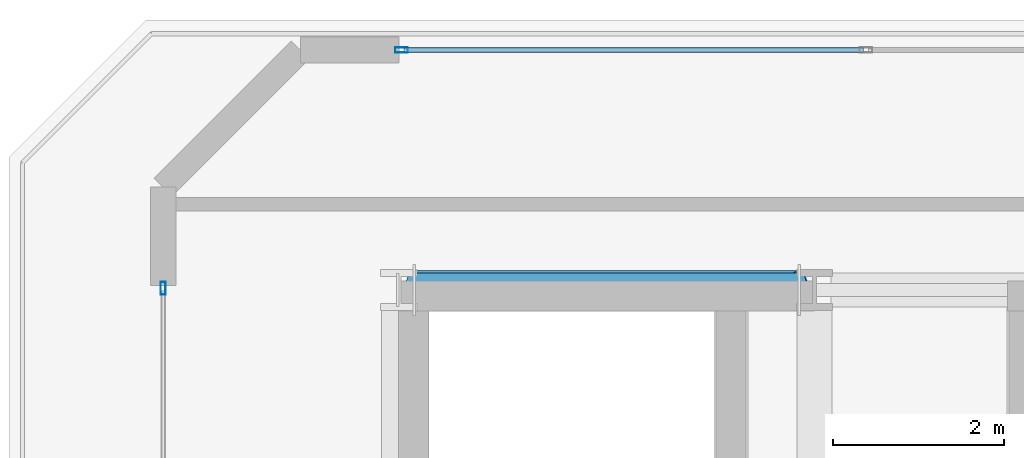
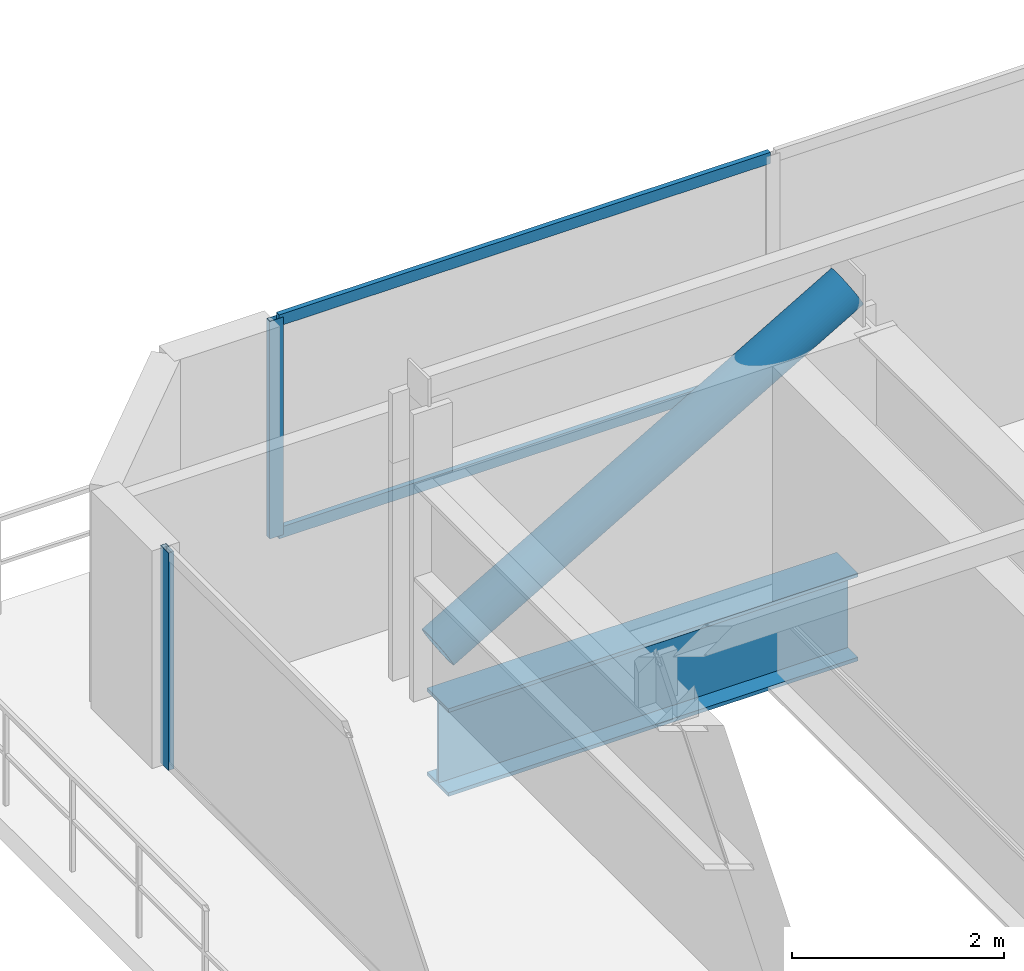
# One storey, part 5 of 9: 5 members, 1 beam, 2 elements without a shape of their own.
"""IFC4 building model written with IfcOpenShell, lengths in metres."""

from ifc_helpers import new_model, si_unit, direction, frame, origin, origin_2d, place, context, subcontext, project, spatial, hollow_rectangle, hollow_circle, i_section, extrude, material, layer, layer_set, material_profile, profile_set, type_object, element, aggregate, save


model = new_model("IFC4")

# Units and contexts
model_context = context("Model", 3, precision=1e-05, world=origin(), true_north=direction((0.0, 1.0)))
body_context = subcontext(model_context, "Body", "Model", "MODEL_VIEW")
ifc_project = project(units=[si_unit("LENGTHUNIT", "METRE"), si_unit("AREAUNIT", "SQUARE_METRE"), si_unit("VOLUMEUNIT", "CUBIC_METRE"), si_unit("PLANEANGLEUNIT", "RADIAN"), si_unit("MASSUNIT", "GRAM", prefix="KILO")], contexts=[model_context])

# Site, building, storey
site_placement = place(None, origin())
site = spatial("IfcSite", under=ifc_project, at=site_placement, CompositionType="ELEMENT")
building_placement = place(site_placement, origin())
building = spatial("IfcBuilding", under=site, at=building_placement, Name="Zuhayl Quay Hotel", CompositionType="ELEMENT")
storey_placement = place(building_placement, frame((0.0, 0.0, 316.25)))
storey = spatial("IfcBuildingStorey", under=building, at=storey_placement, Name="Crown 6", CompositionType="ELEMENT", Elevation=316.25)

# Beam
ifc_material_1 = material(Name="Steel ASTM A992 Grade 50", Category="steel")
ifc_material_profile_1 = material_profile(ifc_material_1, i_section(OverallWidth=0.40087890625, OverallDepth=1.010986328125, WebThickness=0.023681640625, FlangeThickness=0.0419921875, at=origin_2d()), Name="W40X297")
ifc_profile_set_1 = profile_set([ifc_material_profile_1], Name="Steel ASTM A992 Grade 50")
beam_type = type_object("IfcBeamType", Name="BM_TG2_W40X297", PredefinedType="BEAM", material=ifc_profile_set_1)
beam_placement = place(storey_placement, frame((-9.260009765625, 34.449951171875, -0.74560546875), z_axis=(1.0, 0.0, 0.0), x_axis=(0.0, 1.0, 0.0)))
element("IfcBeam", 1, at=beam_placement, inside=storey, type_object=beam_type, Name="Crown 6 Floor Beam CR_EW_6_2_1", PredefinedType="BEAM", context=body_context, shape_type="SweptSolid", body=[
    extrude(i_section(OverallWidth=0.40087890625, OverallDepth=1.010986328125, WebThickness=0.023681640625, FlangeThickness=0.0419921875, at=origin_2d()), origin(), (0.0, 0.0, 1.0), 4.469970703125),
])

# Curtain wall, member
ifc_material_2 = material(Name="Anodised Aluminium 6063-T6", Category="aluminium")
ifc_layer = layer(ifc_material_2, 0.159912109375, Name="Anodised Aluminium 6063-T6", Category="aluminium")
ifc_layer_set = layer_set([ifc_layer], Name="Anodised Aluminium 6063-T6")
curtain_wall_type = type_object("IfcCurtainWallType", Name="CW_SYS_CRN", PredefinedType="USERDEFINED", material=ifc_layer_set)
curtain_wall_1_placement = place(storey_placement, origin())
curtain_wall_1 = element("IfcCurtainWall", 2, at=curtain_wall_1_placement, inside=storey, type_object=curtain_wall_type, Name="Crown 6 Curtain Wall ENV_CR6_E1_CW1", ObjectType="UNITISED CURTAIN WALL", PredefinedType="USERDEFINED")
ifc_material_3 = material(Name="Black-anodised aluminium 6063-T6", Category="aluminium")
ifc_material_profile_2 = material_profile(ifc_material_3, hollow_rectangle(XDim=0.06005859375, YDim=0.14990234375, WallThickness=0.00341796875, at=origin_2d()), Name="ALU150X60")
ifc_profile_set_2 = profile_set([ifc_material_profile_2], Name="Black-anodised aluminium 6063-T6")
member_type_1 = type_object("IfcMemberType", Name="MB_CW_MUL_150", PredefinedType="MULLION", material=ifc_profile_set_2)
member_1_placement = place(storey_placement, frame((-12.199951171875, 34.469970703125, 0.0), z_axis=(0.0, 0.0, 1.0), x_axis=(-1.0, 0.0, 0.0)))
member_1 = element("IfcMember", 3, at=member_1_placement, type_object=member_type_1, Name="CW-CRN mullion 2", PredefinedType="MULLION", context=body_context, shape_type="SweptSolid", body=[
    extrude(hollow_rectangle(XDim=0.06005859375, YDim=0.14990234375, WallThickness=0.00341796875, at=origin_2d()), origin(), (0.0, 0.0, 1.0), 2.510009765625),
])
aggregate(curtain_wall_1, [member_1])

# Curtain wall, members
curtain_wall_2_placement = place(storey_placement, origin())
curtain_wall_2 = element("IfcCurtainWall", 4, at=curtain_wall_2_placement, inside=storey, type_object=curtain_wall_type, Name="Crown 6 Curtain Wall ENV_CR6_E3_CW1", ObjectType="UNITISED CURTAIN WALL", PredefinedType="USERDEFINED")
member_2_placement = place(storey_placement, frame((-9.419921875, 37.25, 0.0), z_axis=(0.0, 0.0, 1.0), x_axis=(0.0, 1.0, 0.0)))
member_2 = element("IfcMember", 5, at=member_2_placement, type_object=member_type_1, Name="CW-CRN mullion 1", PredefinedType="MULLION", context=body_context, shape_type="SweptSolid", body=[
    extrude(hollow_rectangle(XDim=0.06005859375, YDim=0.14990234375, WallThickness=0.00341796875, at=origin_2d()), origin(), (0.0, 0.0, 1.0), 2.510009765625),
])
ifc_material_profile_3 = material_profile(ifc_material_3, hollow_rectangle(XDim=0.054931640625, YDim=0.1298828125, WallThickness=0.0029296875, at=origin_2d()), Name="ALU130X55")
ifc_profile_set_3 = profile_set([ifc_material_profile_3], Name="Black-anodised aluminium 6063-T6")
member_type_2 = type_object("IfcMemberType", Name="MB_CW_TRN_130", PredefinedType="USERDEFINED", material=ifc_profile_set_3)
member_3_placement = place(storey_placement, frame((-9.389892578125, 37.25, 0.027587890625), z_axis=(1.0, 0.0, 0.0), x_axis=(0.0, 1.0, 0.0)))
member_3 = element("IfcMember", 6, at=member_3_placement, type_object=member_type_2, Name="CW-CRN transom 1.1", ObjectType="TRANSOM", PredefinedType="USERDEFINED", context=body_context, shape_type="SweptSolid", body=[
    extrude(hollow_rectangle(XDim=0.054931640625, YDim=0.1298828125, WallThickness=0.0029296875, at=origin_2d()), origin(), (0.0, 0.0, 1.0), 5.35986328125),
])
member_4_placement = place(storey_placement, frame((-9.389892578125, 37.25, 2.482421875), z_axis=(1.0, 0.0, 0.0), x_axis=(0.0, 1.0, 0.0)))
member_4 = element("IfcMember", 7, at=member_4_placement, type_object=member_type_2, Name="CW-CRN transom 1.2", ObjectType="TRANSOM", PredefinedType="USERDEFINED", context=body_context, shape_type="SweptSolid", body=[
    extrude(hollow_rectangle(XDim=0.054931640625, YDim=0.1298828125, WallThickness=0.0029296875, at=origin_2d()), origin(), (0.0, 0.0, 1.0), 5.35986328125),
])
aggregate(curtain_wall_2, [member_2, member_3, member_4])

# Member
ifc_material_4 = material(Name="Steel ASTM A500 Grade C", Category="steel")
ifc_material_profile_4 = material_profile(ifc_material_4, hollow_circle(Radius=0.228515625, WallThickness=0.01611328125, at=origin_2d()), Name="CHS457X16")
ifc_profile_set_4 = profile_set([ifc_material_profile_4], Name="Steel ASTM A500 Grade C")
member_type_3 = type_object("IfcMemberType", Name="MB_ST_CHS457", PredefinedType="STRUT", material=ifc_profile_set_4)
member_5_placement = place(storey_placement, frame((-9.260009765625, 34.449951171875, 0.35009765625), z_axis=(0.864420343333, 0.0, 0.50276979825), x_axis=(0.0, 1.0, 0.0)))
element("IfcMember", 8, at=member_5_placement, inside=storey, type_object=member_type_3, Name="Crown 6 Crown Lateral Brace CD1", PredefinedType="STRUT", context=body_context, shape_type="SweptSolid", body=[
    extrude(hollow_circle(Radius=0.228515625, WallThickness=0.01611328125, at=origin_2d()), origin(), (0.0, 0.0, 1.0), 5.171142578125),
])

save(model, "model.ifc")
